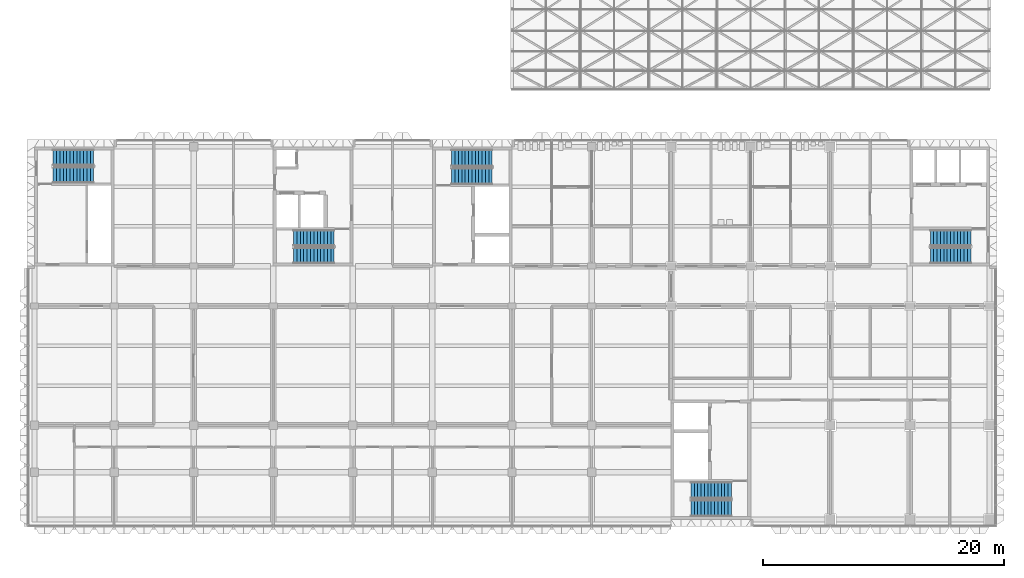
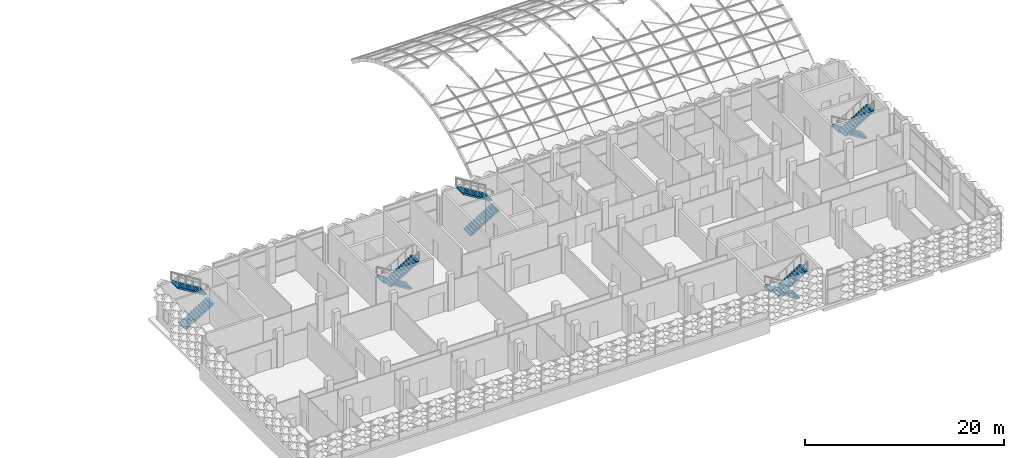
# One storey, part 36 of 85: 10 stair flights, 5 elements without a shape of their own.
"""IFC4 building model written with IfcOpenShell, lengths in metres."""

from ifc_helpers import new_model, si_unit, direction, frame, origin, place, context, subcontext, project, spatial, polyline, outline, extrude, material, type_object, element, aggregate, save


model = new_model("IFC4")

# Units and contexts
model_context = context("Model", 3, precision=1e-05, world=origin(), true_north=direction((0.0, 1.0)))
body_context = subcontext(model_context, "Body", "Model", "MODEL_VIEW")
ifc_project = project(units=[si_unit("LENGTHUNIT", "METRE"), si_unit("AREAUNIT", "SQUARE_METRE"), si_unit("VOLUMEUNIT", "CUBIC_METRE"), si_unit("PLANEANGLEUNIT", "RADIAN"), si_unit("MASSUNIT", "GRAM", prefix="KILO")], contexts=[model_context])

# Site, building, storey
site_placement = place(None, origin())
site = spatial("IfcSite", under=ifc_project, at=site_placement, CompositionType="ELEMENT")
building_placement = place(site_placement, origin())
building = spatial("IfcBuilding", under=site, at=building_placement, Name="Lantern Court Research Institute", CompositionType="ELEMENT")
storey_placement = place(building_placement, frame((0.0, 0.0, 18.89990234375)))
storey = spatial("IfcBuildingStorey", under=building, at=storey_placement, Name="L04", CompositionType="ELEMENT", Elevation=18.89990234375)

# Stair, stair flights
ifc_material_1 = material(Name="Concrete C40/50", Category="concrete")
stair_type_1 = type_object("IfcStairType", Name="RC half-turn stair 1300 wide, 4500 rise, 6100 shaft", PredefinedType="HALF_TURN_STAIR", material=ifc_material_1)
stair_1_placement = place(storey_placement, origin())
stair_1 = element("IfcStair", 1, at=stair_1_placement, inside=storey, type_object=stair_type_1, Name="L04 stair ST-B1", PredefinedType="HALF_TURN_STAIR")
ifc_material_2 = material(Name="Concrete C40/50", Category="concrete")
stair_flight_type_1 = type_object("IfcStairFlightType", Name="RC stair flight 1300 wide, 13 risers of 173, going 280", PredefinedType="STRAIGHT", material=ifc_material_2)
stair_flight_1_placement = place(storey_placement, frame((1.550048828125, 20.75, 0.0), z_axis=(0.0, 0.0, 1.0), x_axis=(1.0, 0.0, 0.0)))
stair_flight_1 = element("IfcStairFlight", 2, at=stair_flight_1_placement, type_object=stair_flight_type_1, Name="ST-B1 flight 1", NumberOfRisers=13, NumberOfTreads=12, PredefinedType="STRAIGHT", RiserHeight=0.173076923, TreadLength=0.28, context=body_context, shape_type="SweptSolid", body=[
    extrude(outline(polyline([(0.0, 0.0), (0.0, 0.173095703125), (0.280029296875, 0.173095703125), (0.280029296875, 0.34619140625), (0.56005859375, 0.34619140625), (0.56005859375, 0.519287109375), (0.840087890625, 0.519287109375), (0.840087890625, 0.6923828125), (1.1201171875, 0.6923828125), (1.1201171875, 0.865478515625), (1.39990234375, 0.865478515625), (1.39990234375, 1.03857421875), (1.679931640625, 1.03857421875), (1.679931640625, 1.21142578125), (1.9599609375, 1.21142578125), (1.9599609375, 1.384521484375), (2.239990234375, 1.384521484375), (2.239990234375, 1.5576171875), (2.52001953125, 1.5576171875), (2.52001953125, 1.730712890625), (2.800048828125, 1.730712890625), (2.800048828125, 1.90380859375), (3.080078125, 1.90380859375), (3.080078125, 2.076904296875), (3.360107421875, 2.076904296875), (3.360107421875, 2.25), (3.360107421875, 1.900634765625), (0.28515625, 0.0), (0.0, 0.0)])), frame((0.0, 0.64990234375, 0.0), z_axis=(0.0, -1.0, 0.0), x_axis=(1.0, 0.0, 0.0)), (0.0, 0.0, 1.0), 1.300048828125),
])
stair_flight_2_placement = place(storey_placement, frame((4.909912109375, 22.199951171875, 2.25), z_axis=(0.0, 0.0, 1.0), x_axis=(-1.0, 0.0, 0.0)))
stair_flight_2 = element("IfcStairFlight", 3, at=stair_flight_2_placement, type_object=stair_flight_type_1, Name="ST-B1 flight 2", NumberOfRisers=13, NumberOfTreads=12, PredefinedType="STRAIGHT", RiserHeight=0.173076923, TreadLength=0.28, context=body_context, shape_type="SweptSolid", body=[
    extrude(outline(polyline([(0.0, 0.0), (0.0, 0.173095703125), (0.280029296875, 0.173095703125), (0.280029296875, 0.34619140625), (0.56005859375, 0.34619140625), (0.56005859375, 0.519287109375), (0.840087890625, 0.519287109375), (0.840087890625, 0.6923828125), (1.1201171875, 0.6923828125), (1.1201171875, 0.865478515625), (1.39990234375, 0.865478515625), (1.39990234375, 1.03857421875), (1.679931640625, 1.03857421875), (1.679931640625, 1.21142578125), (1.9599609375, 1.21142578125), (1.9599609375, 1.384521484375), (2.239990234375, 1.384521484375), (2.239990234375, 1.5576171875), (2.52001953125, 1.5576171875), (2.52001953125, 1.730712890625), (2.800048828125, 1.730712890625), (2.800048828125, 1.90380859375), (3.080078125, 1.90380859375), (3.080078125, 2.076904296875), (3.360107421875, 2.076904296875), (3.360107421875, 2.25), (3.360107421875, 1.900634765625), (0.28515625, 0.0), (0.0, 0.0)])), frame((0.0, 0.64990234375, 0.0), z_axis=(0.0, -1.0, 0.0), x_axis=(1.0, 0.0, 0.0)), (0.0, 0.0, 1.0), 1.300048828125),
])
aggregate(stair_1, [stair_flight_1, stair_flight_2])

stair_2_placement = place(storey_placement, origin())
stair_2 = element("IfcStair", 4, at=stair_2_placement, inside=storey, type_object=stair_type_1, Name="L04 stair ST-B2", PredefinedType="HALF_TURN_STAIR")
stair_flight_3_placement = place(storey_placement, frame((24.85009765625, 15.550048828125, 0.0), z_axis=(0.0, 0.0, 1.0), x_axis=(-1.0, 0.0, 0.0)))
stair_flight_3 = element("IfcStairFlight", 5, at=stair_flight_3_placement, type_object=stair_flight_type_1, Name="ST-B2 flight 1", NumberOfRisers=13, NumberOfTreads=12, PredefinedType="STRAIGHT", RiserHeight=0.173076923, TreadLength=0.28, context=body_context, shape_type="SweptSolid", body=[
    extrude(outline(polyline([(0.0, 0.0), (0.0, 0.173095703125), (0.280029296875, 0.173095703125), (0.280029296875, 0.34619140625), (0.56005859375, 0.34619140625), (0.56005859375, 0.519287109375), (0.840087890625, 0.519287109375), (0.840087890625, 0.6923828125), (1.1201171875, 0.6923828125), (1.1201171875, 0.865478515625), (1.39990234375, 0.865478515625), (1.39990234375, 1.03857421875), (1.679931640625, 1.03857421875), (1.679931640625, 1.21142578125), (1.9599609375, 1.21142578125), (1.9599609375, 1.384521484375), (2.239990234375, 1.384521484375), (2.239990234375, 1.5576171875), (2.52001953125, 1.5576171875), (2.52001953125, 1.730712890625), (2.800048828125, 1.730712890625), (2.800048828125, 1.90380859375), (3.080078125, 1.90380859375), (3.080078125, 2.076904296875), (3.360107421875, 2.076904296875), (3.360107421875, 2.25), (3.360107421875, 1.900634765625), (0.28515625, 0.0), (0.0, 0.0)])), frame((0.0, 0.64990234375, 0.0), z_axis=(0.0, -1.0, 0.0), x_axis=(1.0, 0.0, 0.0)), (0.0, 0.0, 1.0), 1.300048828125),
])
stair_flight_4_placement = place(storey_placement, frame((21.489990234375, 14.10009765625, 2.25), z_axis=(0.0, 0.0, 1.0), x_axis=(1.0, 0.0, 0.0)))
stair_flight_4 = element("IfcStairFlight", 6, at=stair_flight_4_placement, type_object=stair_flight_type_1, Name="ST-B2 flight 2", NumberOfRisers=13, NumberOfTreads=12, PredefinedType="STRAIGHT", RiserHeight=0.173076923, TreadLength=0.28, context=body_context, shape_type="SweptSolid", body=[
    extrude(outline(polyline([(0.0, 0.0), (0.0, 0.173095703125), (0.280029296875, 0.173095703125), (0.280029296875, 0.34619140625), (0.56005859375, 0.34619140625), (0.56005859375, 0.519287109375), (0.840087890625, 0.519287109375), (0.840087890625, 0.6923828125), (1.1201171875, 0.6923828125), (1.1201171875, 0.865478515625), (1.39990234375, 0.865478515625), (1.39990234375, 1.03857421875), (1.679931640625, 1.03857421875), (1.679931640625, 1.21142578125), (1.9599609375, 1.21142578125), (1.9599609375, 1.384521484375), (2.239990234375, 1.384521484375), (2.239990234375, 1.5576171875), (2.52001953125, 1.5576171875), (2.52001953125, 1.730712890625), (2.800048828125, 1.730712890625), (2.800048828125, 1.90380859375), (3.080078125, 1.90380859375), (3.080078125, 2.076904296875), (3.360107421875, 2.076904296875), (3.360107421875, 2.25), (3.360107421875, 1.900634765625), (0.28515625, 0.0), (0.0, 0.0)])), frame((0.0, 0.64990234375, 0.0), z_axis=(0.0, -1.0, 0.0), x_axis=(1.0, 0.0, 0.0)), (0.0, 0.0, 1.0), 1.300048828125),
])
aggregate(stair_2, [stair_flight_3, stair_flight_4])

stair_3_placement = place(storey_placement, origin())
stair_3 = element("IfcStair", 7, at=stair_3_placement, inside=storey, type_object=stair_type_1, Name="L04 stair ST-T2", PredefinedType="HALF_TURN_STAIR")
stair_flight_5_placement = place(storey_placement, frame((77.64990234375, 15.550048828125, 0.0), z_axis=(0.0, 0.0, 1.0), x_axis=(-1.0, 0.0, 0.0)))
stair_flight_5 = element("IfcStairFlight", 8, at=stair_flight_5_placement, type_object=stair_flight_type_1, Name="ST-T2 flight 1", NumberOfRisers=13, NumberOfTreads=12, PredefinedType="STRAIGHT", RiserHeight=0.173076923, TreadLength=0.28, context=body_context, shape_type="SweptSolid", body=[
    extrude(outline(polyline([(0.0, 0.0), (0.0, 0.173095703125), (0.280029296875, 0.173095703125), (0.280029296875, 0.34619140625), (0.56005859375, 0.34619140625), (0.56005859375, 0.519287109375), (0.840087890625, 0.519287109375), (0.840087890625, 0.6923828125), (1.1201171875, 0.6923828125), (1.1201171875, 0.865478515625), (1.39990234375, 0.865478515625), (1.39990234375, 1.03857421875), (1.679931640625, 1.03857421875), (1.679931640625, 1.21142578125), (1.9599609375, 1.21142578125), (1.9599609375, 1.384521484375), (2.239990234375, 1.384521484375), (2.239990234375, 1.5576171875), (2.52001953125, 1.5576171875), (2.52001953125, 1.730712890625), (2.800048828125, 1.730712890625), (2.800048828125, 1.90380859375), (3.080078125, 1.90380859375), (3.080078125, 2.076904296875), (3.360107421875, 2.076904296875), (3.360107421875, 2.25), (3.360107421875, 1.900634765625), (0.28515625, 0.0), (0.0, 0.0)])), frame((0.0, 0.64990234375, 0.0), z_axis=(0.0, -1.0, 0.0), x_axis=(1.0, 0.0, 0.0)), (0.0, 0.0, 1.0), 1.300048828125),
])
stair_flight_6_placement = place(storey_placement, frame((74.2900390625, 14.10009765625, 2.25), z_axis=(0.0, 0.0, 1.0), x_axis=(1.0, 0.0, 0.0)))
stair_flight_6 = element("IfcStairFlight", 9, at=stair_flight_6_placement, type_object=stair_flight_type_1, Name="ST-T2 flight 2", NumberOfRisers=13, NumberOfTreads=12, PredefinedType="STRAIGHT", RiserHeight=0.173076923, TreadLength=0.28, context=body_context, shape_type="SweptSolid", body=[
    extrude(outline(polyline([(0.0, 0.0), (0.0, 0.173095703125), (0.280029296875, 0.173095703125), (0.280029296875, 0.34619140625), (0.56005859375, 0.34619140625), (0.56005859375, 0.519287109375), (0.840087890625, 0.519287109375), (0.840087890625, 0.6923828125), (1.1201171875, 0.6923828125), (1.1201171875, 0.865478515625), (1.39990234375, 0.865478515625), (1.39990234375, 1.03857421875), (1.679931640625, 1.03857421875), (1.679931640625, 1.21142578125), (1.9599609375, 1.21142578125), (1.9599609375, 1.384521484375), (2.239990234375, 1.384521484375), (2.239990234375, 1.5576171875), (2.52001953125, 1.5576171875), (2.52001953125, 1.730712890625), (2.800048828125, 1.730712890625), (2.800048828125, 1.90380859375), (3.080078125, 1.90380859375), (3.080078125, 2.076904296875), (3.360107421875, 2.076904296875), (3.360107421875, 2.25), (3.360107421875, 1.900634765625), (0.28515625, 0.0), (0.0, 0.0)])), frame((0.0, 0.64990234375, 0.0), z_axis=(0.0, -1.0, 0.0), x_axis=(1.0, 0.0, 0.0)), (0.0, 0.0, 1.0), 1.300048828125),
])
aggregate(stair_3, [stair_flight_5, stair_flight_6])

ifc_material_3 = material(Name="Concrete C40/50", Category="concrete")
stair_type_2 = type_object("IfcStairType", Name="RC half-turn stair 1350 wide, 4500 rise, 6100 shaft", PredefinedType="HALF_TURN_STAIR", material=ifc_material_3)
stair_4_placement = place(storey_placement, origin())
stair_4 = element("IfcStair", 10, at=stair_4_placement, inside=storey, type_object=stair_type_2, Name="L04 stair ST-B3", PredefinedType="HALF_TURN_STAIR")
ifc_material_4 = material(Name="Concrete C40/50", Category="concrete")
stair_flight_type_2 = type_object("IfcStairFlightType", Name="RC stair flight 1350 wide, 13 risers of 173, going 280", PredefinedType="STRAIGHT", material=ifc_material_4)
stair_flight_7_placement = place(storey_placement, frame((34.60009765625, 20.675048828125, 0.0), z_axis=(0.0, 0.0, 1.0), x_axis=(1.0, 0.0, 0.0)))
stair_flight_7 = element("IfcStairFlight", 11, at=stair_flight_7_placement, type_object=stair_flight_type_2, Name="ST-B3 flight 1", NumberOfRisers=13, NumberOfTreads=12, PredefinedType="STRAIGHT", RiserHeight=0.173076923, TreadLength=0.28, context=body_context, shape_type="SweptSolid", body=[
    extrude(outline(polyline([(0.0, 0.0), (0.0, 0.173095703125), (0.280029296875, 0.173095703125), (0.280029296875, 0.34619140625), (0.56005859375, 0.34619140625), (0.56005859375, 0.519287109375), (0.840087890625, 0.519287109375), (0.840087890625, 0.6923828125), (1.1201171875, 0.6923828125), (1.1201171875, 0.865478515625), (1.39990234375, 0.865478515625), (1.39990234375, 1.03857421875), (1.679931640625, 1.03857421875), (1.679931640625, 1.21142578125), (1.9599609375, 1.21142578125), (1.9599609375, 1.384521484375), (2.239990234375, 1.384521484375), (2.239990234375, 1.5576171875), (2.52001953125, 1.5576171875), (2.52001953125, 1.730712890625), (2.800048828125, 1.730712890625), (2.800048828125, 1.90380859375), (3.080078125, 1.90380859375), (3.080078125, 2.076904296875), (3.360107421875, 2.076904296875), (3.360107421875, 2.25), (3.360107421875, 1.900634765625), (0.28515625, 0.0), (0.0, 0.0)])), frame((0.0, 0.675048828125, 0.0), z_axis=(0.0, -1.0, 0.0), x_axis=(1.0, 0.0, 0.0)), (0.0, 0.0, 1.0), 1.35009765625),
])
stair_flight_8_placement = place(storey_placement, frame((37.9599609375, 22.175048828125, 2.25), z_axis=(0.0, 0.0, 1.0), x_axis=(-1.0, 0.0, 0.0)))
stair_flight_8 = element("IfcStairFlight", 12, at=stair_flight_8_placement, type_object=stair_flight_type_2, Name="ST-B3 flight 2", NumberOfRisers=13, NumberOfTreads=12, PredefinedType="STRAIGHT", RiserHeight=0.173076923, TreadLength=0.28, context=body_context, shape_type="SweptSolid", body=[
    extrude(outline(polyline([(0.0, 0.0), (0.0, 0.173095703125), (0.280029296875, 0.173095703125), (0.280029296875, 0.34619140625), (0.56005859375, 0.34619140625), (0.56005859375, 0.519287109375), (0.840087890625, 0.519287109375), (0.840087890625, 0.6923828125), (1.1201171875, 0.6923828125), (1.1201171875, 0.865478515625), (1.39990234375, 0.865478515625), (1.39990234375, 1.03857421875), (1.679931640625, 1.03857421875), (1.679931640625, 1.21142578125), (1.9599609375, 1.21142578125), (1.9599609375, 1.384521484375), (2.239990234375, 1.384521484375), (2.239990234375, 1.5576171875), (2.52001953125, 1.5576171875), (2.52001953125, 1.730712890625), (2.800048828125, 1.730712890625), (2.800048828125, 1.90380859375), (3.080078125, 1.90380859375), (3.080078125, 2.076904296875), (3.360107421875, 2.076904296875), (3.360107421875, 2.25), (3.360107421875, 1.900634765625), (0.28515625, 0.0), (0.0, 0.0)])), frame((0.0, 0.675048828125, 0.0), z_axis=(0.0, -1.0, 0.0), x_axis=(1.0, 0.0, 0.0)), (0.0, 0.0, 1.0), 1.35009765625),
])
aggregate(stair_4, [stair_flight_7, stair_flight_8])

stair_5_placement = place(storey_placement, origin())
stair_5 = element("IfcStair", 13, at=stair_5_placement, inside=storey, type_object=stair_type_2, Name="L04 stair ST-T1", PredefinedType="HALF_TURN_STAIR")
stair_flight_9_placement = place(storey_placement, frame((57.800048828125, -5.375, 0.0), z_axis=(0.0, 0.0, 1.0), x_axis=(-1.0, 0.0, 0.0)))
stair_flight_9 = element("IfcStairFlight", 14, at=stair_flight_9_placement, type_object=stair_flight_type_2, Name="ST-T1 flight 1", NumberOfRisers=13, NumberOfTreads=12, PredefinedType="STRAIGHT", RiserHeight=0.173076923, TreadLength=0.28, context=body_context, shape_type="SweptSolid", body=[
    extrude(outline(polyline([(0.0, 0.0), (0.0, 0.173095703125), (0.280029296875, 0.173095703125), (0.280029296875, 0.34619140625), (0.56005859375, 0.34619140625), (0.56005859375, 0.519287109375), (0.840087890625, 0.519287109375), (0.840087890625, 0.6923828125), (1.1201171875, 0.6923828125), (1.1201171875, 0.865478515625), (1.39990234375, 0.865478515625), (1.39990234375, 1.03857421875), (1.679931640625, 1.03857421875), (1.679931640625, 1.21142578125), (1.9599609375, 1.21142578125), (1.9599609375, 1.384521484375), (2.239990234375, 1.384521484375), (2.239990234375, 1.5576171875), (2.52001953125, 1.5576171875), (2.52001953125, 1.730712890625), (2.800048828125, 1.730712890625), (2.800048828125, 1.90380859375), (3.080078125, 1.90380859375), (3.080078125, 2.076904296875), (3.360107421875, 2.076904296875), (3.360107421875, 2.25), (3.360107421875, 1.900634765625), (0.28515625, 0.0), (0.0, 0.0)])), frame((0.0, 0.675048828125, 0.0), z_axis=(0.0, -1.0, 0.0), x_axis=(1.0, 0.0, 0.0)), (0.0, 0.0, 1.0), 1.35009765625),
])
stair_flight_10_placement = place(storey_placement, frame((54.43994140625, -6.875, 2.25), z_axis=(0.0, 0.0, 1.0), x_axis=(1.0, 0.0, 0.0)))
stair_flight_10 = element("IfcStairFlight", 15, at=stair_flight_10_placement, type_object=stair_flight_type_2, Name="ST-T1 flight 2", NumberOfRisers=13, NumberOfTreads=12, PredefinedType="STRAIGHT", RiserHeight=0.173076923, TreadLength=0.28, context=body_context, shape_type="SweptSolid", body=[
    extrude(outline(polyline([(0.0, 0.0), (0.0, 0.173095703125), (0.280029296875, 0.173095703125), (0.280029296875, 0.34619140625), (0.56005859375, 0.34619140625), (0.56005859375, 0.519287109375), (0.840087890625, 0.519287109375), (0.840087890625, 0.6923828125), (1.1201171875, 0.6923828125), (1.1201171875, 0.865478515625), (1.39990234375, 0.865478515625), (1.39990234375, 1.03857421875), (1.679931640625, 1.03857421875), (1.679931640625, 1.21142578125), (1.9599609375, 1.21142578125), (1.9599609375, 1.384521484375), (2.239990234375, 1.384521484375), (2.239990234375, 1.5576171875), (2.52001953125, 1.5576171875), (2.52001953125, 1.730712890625), (2.800048828125, 1.730712890625), (2.800048828125, 1.90380859375), (3.080078125, 1.90380859375), (3.080078125, 2.076904296875), (3.360107421875, 2.076904296875), (3.360107421875, 2.25), (3.360107421875, 1.900634765625), (0.28515625, 0.0), (0.0, 0.0)])), frame((0.0, 0.675048828125, 0.0), z_axis=(0.0, -1.0, 0.0), x_axis=(1.0, 0.0, 0.0)), (0.0, 0.0, 1.0), 1.35009765625),
])
aggregate(stair_5, [stair_flight_9, stair_flight_10])

save(model, "model.ifc")
